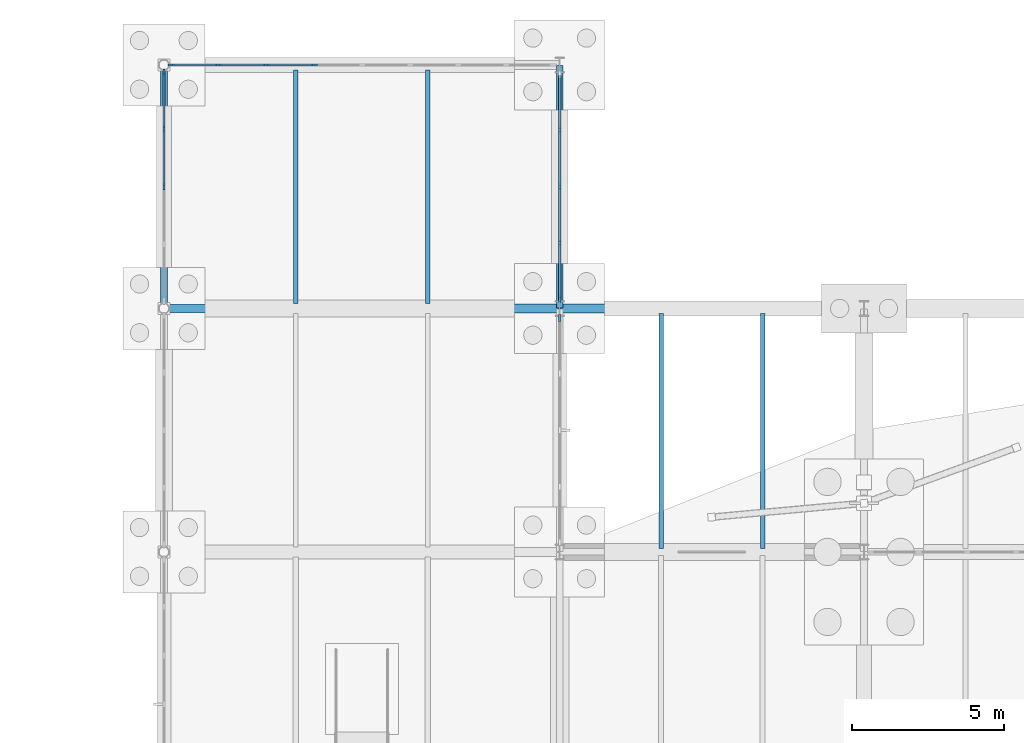
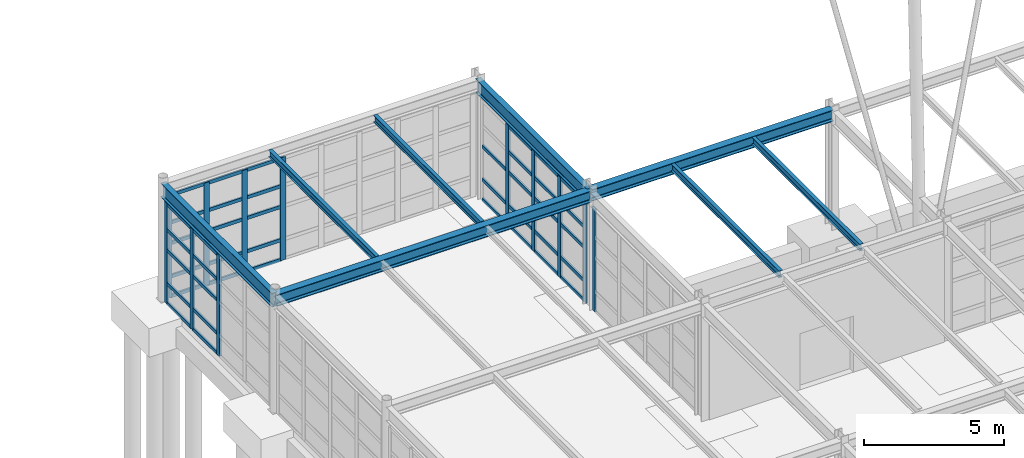
# One storey, part 54 of 145: 55 members, 8 beams, 4 elements without a shape of their own.
"""IFC4 building model written with IfcOpenShell, lengths in metres."""

from ifc_helpers import new_model, si_unit, direction, frame, origin, origin_2d, place, context, subcontext, project, spatial, rectangle, i_section, extrude, material, layer, layer_set, material_profile, profile_set, type_object, element, aggregate, save


model = new_model("IFC4")

# Units and contexts
model_context = context("Model", 3, precision=1e-05, world=origin(), true_north=direction((0.0, 1.0)))
body_context = subcontext(model_context, "Body", "Model", "MODEL_VIEW")
ifc_project = project(units=[si_unit("LENGTHUNIT", "METRE"), si_unit("AREAUNIT", "SQUARE_METRE"), si_unit("VOLUMEUNIT", "CUBIC_METRE"), si_unit("PLANEANGLEUNIT", "RADIAN"), si_unit("MASSUNIT", "GRAM", prefix="KILO"), si_unit("THERMODYNAMICTEMPERATUREUNIT", "KELVIN"), si_unit("POWERUNIT", "WATT")], contexts=[model_context])

# Site, building, storey
site_placement = place(None, origin())
site = spatial("IfcSite", under=ifc_project, at=site_placement, CompositionType="ELEMENT")
building_placement = place(site_placement, origin())
building = spatial("IfcBuilding", under=site, at=building_placement, Name="Korenveer Ferry Terminal", CompositionType="ELEMENT")
storey_placement = place(building_placement, origin())
storey = spatial("IfcBuildingStorey", under=building, at=storey_placement, Name="L00", CompositionType="ELEMENT", Elevation=0.0)

# Curtain wall, members
ifc_material_1 = material(Name="Unitised bronze-and-glass curtain wall", Category="glass")
ifc_layer_1 = layer(ifc_material_1, 0.219970703125)
ifc_layer_set_1 = layer_set([ifc_layer_1], Name="Unitised bronze-and-glass curtain wall")
curtain_wall_type_1 = type_object("IfcCurtainWallType", Name="ENV-CW-16", PredefinedType="USERDEFINED", material=ifc_layer_set_1)
curtain_wall_1_placement = place(storey_placement, frame((40.207763671875, 116.0, 0.0)))
curtain_wall_1 = element("IfcCurtainWall", 1, at=curtain_wall_1_placement, inside=storey, type_object=curtain_wall_type_1, Name="Lancet curtain wall CWX-L00-X40-53-Y116-116", ObjectType="UNITISED CURTAIN WALL", PredefinedType="USERDEFINED")
ifc_material_2 = material(Name="Anodised bronze aluminium", Category="aluminium")
ifc_material_profile_1 = material_profile(ifc_material_2, rectangle(XDim=0.074951171875, YDim=0.219970703125, at=origin_2d()), Name="ALU 75x220")
ifc_profile_set_1 = profile_set([ifc_material_profile_1], Name="Anodised bronze aluminium")
member_type_1 = type_object("IfcMemberType", Name="ENV-CWM-75X220", PredefinedType="MULLION", material=ifc_profile_set_1)
member_1_placement = place(storey_placement, frame((40.245361328125, 116.0, 0.0), z_axis=(0.0, 0.0, 1.0), x_axis=(0.0, 1.0, 0.0)))
member_1 = element("IfcMember", 2, at=member_1_placement, type_object=member_type_1, Name="CW-16 mullion 1", PredefinedType="MULLION", context=body_context, shape_type="SweptSolid", body=[
    extrude(rectangle(XDim=0.074951171875, YDim=0.219970703125, at=origin_2d()), origin(), (0.0, 0.0, 1.0), 4.489990234375),
])
member_2_placement = place(storey_placement, frame((41.784423828125, 116.0, 0.0), z_axis=(0.0, 0.0, 1.0), x_axis=(0.0, 1.0, 0.0)))
member_2 = element("IfcMember", 3, at=member_2_placement, type_object=member_type_1, Name="CW-16 mullion 2", PredefinedType="MULLION", context=body_context, shape_type="SweptSolid", body=[
    extrude(rectangle(XDim=0.074951171875, YDim=0.219970703125, at=origin_2d()), origin(), (0.0, 0.0, 1.0), 4.489990234375),
])
member_3_placement = place(storey_placement, frame((43.36083984375, 116.0, 0.0), z_axis=(0.0, 0.0, 1.0), x_axis=(0.0, 1.0, 0.0)))
member_3 = element("IfcMember", 4, at=member_3_placement, type_object=member_type_1, Name="CW-16 mullion 3", PredefinedType="MULLION", context=body_context, shape_type="SweptSolid", body=[
    extrude(rectangle(XDim=0.074951171875, YDim=0.219970703125, at=origin_2d()), origin(), (0.0, 0.0, 1.0), 4.489990234375),
])
member_4_placement = place(storey_placement, frame((44.937255859375, 116.0, 0.0), z_axis=(0.0, 0.0, 1.0), x_axis=(0.0, 1.0, 0.0)))
member_4 = element("IfcMember", 5, at=member_4_placement, type_object=member_type_1, Name="CW-16 mullion 4", PredefinedType="MULLION", context=body_context, shape_type="SweptSolid", body=[
    extrude(rectangle(XDim=0.074951171875, YDim=0.219970703125, at=origin_2d()), origin(), (0.0, 0.0, 1.0), 4.489990234375),
])

ifc_layer_2 = layer(ifc_material_1, 0.219970703125)
ifc_layer_set_2 = layer_set([ifc_layer_2], Name="Unitised bronze-and-glass curtain wall")
curtain_wall_type_2 = type_object("IfcCurtainWallType", Name="ENV-CW-24", PredefinedType="USERDEFINED", material=ifc_layer_set_2)
curtain_wall_2_placement = place(storey_placement, frame((40.0, 108.207763671875, 0.0)))
curtain_wall_2 = element("IfcCurtainWall", 6, at=curtain_wall_2_placement, inside=storey, type_object=curtain_wall_type_2, Name="Lancet curtain wall CWX-L00-X40-40-Y108-116", ObjectType="UNITISED CURTAIN WALL", PredefinedType="USERDEFINED")
member_5_placement = place(storey_placement, frame((40.0, 112.0, 0.0), z_axis=(0.0, 0.0, 1.0), x_axis=(-1.0, 0.0, 0.0)))
member_5 = element("IfcMember", 7, at=member_5_placement, type_object=member_type_1, Name="CW-24 mullion 3", PredefinedType="MULLION", context=body_context, shape_type="SweptSolid", body=[
    extrude(rectangle(XDim=0.074951171875, YDim=0.219970703125, at=origin_2d()), origin(), (0.0, 0.0, 1.0), 4.389892578125),
])
member_6_placement = place(storey_placement, frame((40.0, 113.89599609375, 0.0), z_axis=(0.0, 0.0, 1.0), x_axis=(-1.0, 0.0, 0.0)))
member_6 = element("IfcMember", 8, at=member_6_placement, type_object=member_type_1, Name="CW-24 mullion 4", PredefinedType="MULLION", context=body_context, shape_type="SweptSolid", body=[
    extrude(rectangle(XDim=0.074951171875, YDim=0.219970703125, at=origin_2d()), origin(), (0.0, 0.0, 1.0), 4.389892578125),
])
member_7_placement = place(storey_placement, frame((40.0, 115.754638671875, 0.0), z_axis=(0.0, 0.0, 1.0), x_axis=(-1.0, 0.0, 0.0)))
member_7 = element("IfcMember", 9, at=member_7_placement, type_object=member_type_1, Name="CW-24 mullion 5", PredefinedType="MULLION", context=body_context, shape_type="SweptSolid", body=[
    extrude(rectangle(XDim=0.074951171875, YDim=0.219970703125, at=origin_2d()), origin(), (0.0, 0.0, 1.0), 4.389892578125),
])

# Curtain wall, member
ifc_layer_3 = layer(ifc_material_1, 0.219970703125)
ifc_layer_set_3 = layer_set([ifc_layer_3], Name="Unitised bronze-and-glass curtain wall")
curtain_wall_type_3 = type_object("IfcCurtainWallType", Name="ENV-CW-28", PredefinedType="USERDEFINED", material=ifc_layer_set_3)
curtain_wall_3_placement = place(storey_placement, frame((53.0, 107.719970703125, 0.0)))
curtain_wall_3 = element("IfcCurtainWall", 10, at=curtain_wall_3_placement, inside=storey, type_object=curtain_wall_type_3, Name="Lancet curtain wall CWX-L00-X53-53-Y100-108", ObjectType="UNITISED CURTAIN WALL", PredefinedType="USERDEFINED")
member_8_placement = place(storey_placement, frame((53.0, 107.6826171875, 0.0), z_axis=(0.0, 0.0, 1.0), x_axis=(1.0, 0.0, 0.0)))
member_8 = element("IfcMember", 11, at=member_8_placement, type_object=member_type_1, Name="CW-28 mullion 1", PredefinedType="MULLION", context=body_context, shape_type="SweptSolid", body=[
    extrude(rectangle(XDim=0.074951171875, YDim=0.219970703125, at=origin_2d()), origin(), (0.0, 0.0, 1.0), 4.489990234375),
])
aggregate(curtain_wall_3, [member_8])

# Curtain wall, members
ifc_layer_4 = layer(ifc_material_1, 0.219970703125)
ifc_layer_set_4 = layer_set([ifc_layer_4], Name="Unitised bronze-and-glass curtain wall")
curtain_wall_type_4 = type_object("IfcCurtainWallType", Name="ENV-CW-29", PredefinedType="USERDEFINED", material=ifc_layer_set_4)
curtain_wall_4_placement = place(storey_placement, frame((53.0, 115.719970703125, 0.0)))
curtain_wall_4 = element("IfcCurtainWall", 12, at=curtain_wall_4_placement, inside=storey, type_object=curtain_wall_type_4, Name="Lancet curtain wall CWX-L00-X53-53-Y108-116", ObjectType="UNITISED CURTAIN WALL", PredefinedType="USERDEFINED")
member_9_placement = place(storey_placement, frame((53.0, 113.860107421875, 0.0), z_axis=(0.0, 0.0, 1.0), x_axis=(1.0, 0.0, 0.0)))
member_9 = element("IfcMember", 13, at=member_9_placement, type_object=member_type_1, Name="CW-29 mullion 2", PredefinedType="MULLION", context=body_context, shape_type="SweptSolid", body=[
    extrude(rectangle(XDim=0.074951171875, YDim=0.219970703125, at=origin_2d()), origin(), (0.0, 0.0, 1.0), 4.389892578125),
])
member_10_placement = place(storey_placement, frame((53.0, 112.0, 0.0), z_axis=(0.0, 0.0, 1.0), x_axis=(1.0, 0.0, 0.0)))
member_10 = element("IfcMember", 14, at=member_10_placement, type_object=member_type_1, Name="CW-29 mullion 3", PredefinedType="MULLION", context=body_context, shape_type="SweptSolid", body=[
    extrude(rectangle(XDim=0.074951171875, YDim=0.219970703125, at=origin_2d()), origin(), (0.0, 0.0, 1.0), 4.389892578125),
])
member_11_placement = place(storey_placement, frame((53.0, 110.139892578125, 0.0), z_axis=(0.0, 0.0, 1.0), x_axis=(1.0, 0.0, 0.0)))
member_11 = element("IfcMember", 15, at=member_11_placement, type_object=member_type_1, Name="CW-29 mullion 4", PredefinedType="MULLION", context=body_context, shape_type="SweptSolid", body=[
    extrude(rectangle(XDim=0.074951171875, YDim=0.219970703125, at=origin_2d()), origin(), (0.0, 0.0, 1.0), 4.389892578125),
])
member_12_placement = place(storey_placement, frame((53.0, 108.3173828125, 0.0), z_axis=(0.0, 0.0, 1.0), x_axis=(1.0, 0.0, 0.0)))
member_12 = element("IfcMember", 16, at=member_12_placement, type_object=member_type_1, Name="CW-29 mullion 5", PredefinedType="MULLION", context=body_context, shape_type="SweptSolid", body=[
    extrude(rectangle(XDim=0.074951171875, YDim=0.219970703125, at=origin_2d()), origin(), (0.0, 0.0, 1.0), 4.389892578125),
])

# Member
ifc_material_profile_2 = material_profile(ifc_material_2, rectangle(XDim=0.074951171875, YDim=0.14990234375, at=origin_2d()), Name="ALU 75x150")
ifc_profile_set_2 = profile_set([ifc_material_profile_2], Name="Anodised bronze aluminium")
member_type_2 = type_object("IfcMemberType", Name="ENV-CWT-75X150", PredefinedType="USERDEFINED", material=ifc_profile_set_2)
member_13_placement = place(storey_placement, frame((40.28271484375, 116.0, 0.03759765625), z_axis=(1.0, 0.0, 0.0), x_axis=(0.0, 1.0, 0.0)))
member_13 = element("IfcMember", 17, at=member_13_placement, type_object=member_type_2, Name="CW-16 transom 1.1", ObjectType="TRANSOM", PredefinedType="USERDEFINED", context=body_context, shape_type="SweptSolid", body=[
    extrude(rectangle(XDim=0.074951171875, YDim=0.14990234375, at=origin_2d()), origin(), (0.0, 0.0, 1.0), 1.464111328125),
])

member_14_placement = place(storey_placement, frame((40.28271484375, 116.0, 0.89990234375), z_axis=(1.0, 0.0, 0.0), x_axis=(0.0, 1.0, 0.0)))
member_14 = element("IfcMember", 18, at=member_14_placement, type_object=member_type_2, Name="CW-16 transom 1.2", ObjectType="TRANSOM", PredefinedType="USERDEFINED", context=body_context, shape_type="SweptSolid", body=[
    extrude(rectangle(XDim=0.074951171875, YDim=0.14990234375, at=origin_2d()), origin(), (0.0, 0.0, 1.0), 1.464111328125),
])

member_15_placement = place(storey_placement, frame((40.28271484375, 116.0, 2.35009765625), z_axis=(1.0, 0.0, 0.0), x_axis=(0.0, 1.0, 0.0)))
member_15 = element("IfcMember", 19, at=member_15_placement, type_object=member_type_2, Name="CW-16 transom 1.3", ObjectType="TRANSOM", PredefinedType="USERDEFINED", context=body_context, shape_type="SweptSolid", body=[
    extrude(rectangle(XDim=0.074951171875, YDim=0.14990234375, at=origin_2d()), origin(), (0.0, 0.0, 1.0), 1.464111328125),
])

member_16_placement = place(storey_placement, frame((40.28271484375, 116.0, 3.25), z_axis=(1.0, 0.0, 0.0), x_axis=(0.0, 1.0, 0.0)))
member_16 = element("IfcMember", 20, at=member_16_placement, type_object=member_type_2, Name="CW-16 transom 1.4", ObjectType="TRANSOM", PredefinedType="USERDEFINED", context=body_context, shape_type="SweptSolid", body=[
    extrude(rectangle(XDim=0.074951171875, YDim=0.14990234375, at=origin_2d()), origin(), (0.0, 0.0, 1.0), 1.464111328125),
])

member_17_placement = place(storey_placement, frame((40.28271484375, 116.0, 4.452392578125), z_axis=(1.0, 0.0, 0.0), x_axis=(0.0, 1.0, 0.0)))
member_17 = element("IfcMember", 21, at=member_17_placement, type_object=member_type_2, Name="CW-16 transom 1.5", ObjectType="TRANSOM", PredefinedType="USERDEFINED", context=body_context, shape_type="SweptSolid", body=[
    extrude(rectangle(XDim=0.074951171875, YDim=0.14990234375, at=origin_2d()), origin(), (0.0, 0.0, 1.0), 1.464111328125),
])

member_18_placement = place(storey_placement, frame((41.82177734375, 116.0, 0.03759765625), z_axis=(1.0, 0.0, 0.0), x_axis=(0.0, 1.0, 0.0)))
member_18 = element("IfcMember", 22, at=member_18_placement, type_object=member_type_2, Name="CW-16 transom 2.1", ObjectType="TRANSOM", PredefinedType="USERDEFINED", context=body_context, shape_type="SweptSolid", body=[
    extrude(rectangle(XDim=0.074951171875, YDim=0.14990234375, at=origin_2d()), origin(), (0.0, 0.0, 1.0), 1.50146484375),
])

member_19_placement = place(storey_placement, frame((41.82177734375, 116.0, 0.89990234375), z_axis=(1.0, 0.0, 0.0), x_axis=(0.0, 1.0, 0.0)))
member_19 = element("IfcMember", 23, at=member_19_placement, type_object=member_type_2, Name="CW-16 transom 2.2", ObjectType="TRANSOM", PredefinedType="USERDEFINED", context=body_context, shape_type="SweptSolid", body=[
    extrude(rectangle(XDim=0.074951171875, YDim=0.14990234375, at=origin_2d()), origin(), (0.0, 0.0, 1.0), 1.50146484375),
])

member_20_placement = place(storey_placement, frame((41.82177734375, 116.0, 2.35009765625), z_axis=(1.0, 0.0, 0.0), x_axis=(0.0, 1.0, 0.0)))
member_20 = element("IfcMember", 24, at=member_20_placement, type_object=member_type_2, Name="CW-16 transom 2.3", ObjectType="TRANSOM", PredefinedType="USERDEFINED", context=body_context, shape_type="SweptSolid", body=[
    extrude(rectangle(XDim=0.074951171875, YDim=0.14990234375, at=origin_2d()), origin(), (0.0, 0.0, 1.0), 1.50146484375),
])

member_21_placement = place(storey_placement, frame((41.82177734375, 116.0, 3.25), z_axis=(1.0, 0.0, 0.0), x_axis=(0.0, 1.0, 0.0)))
member_21 = element("IfcMember", 25, at=member_21_placement, type_object=member_type_2, Name="CW-16 transom 2.4", ObjectType="TRANSOM", PredefinedType="USERDEFINED", context=body_context, shape_type="SweptSolid", body=[
    extrude(rectangle(XDim=0.074951171875, YDim=0.14990234375, at=origin_2d()), origin(), (0.0, 0.0, 1.0), 1.50146484375),
])

member_22_placement = place(storey_placement, frame((41.82177734375, 116.0, 4.452392578125), z_axis=(1.0, 0.0, 0.0), x_axis=(0.0, 1.0, 0.0)))
member_22 = element("IfcMember", 26, at=member_22_placement, type_object=member_type_2, Name="CW-16 transom 2.5", ObjectType="TRANSOM", PredefinedType="USERDEFINED", context=body_context, shape_type="SweptSolid", body=[
    extrude(rectangle(XDim=0.074951171875, YDim=0.14990234375, at=origin_2d()), origin(), (0.0, 0.0, 1.0), 1.50146484375),
])

member_23_placement = place(storey_placement, frame((43.3984375, 116.0, 0.03759765625), z_axis=(1.0, 0.0, 0.0), x_axis=(0.0, 1.0, 0.0)))
member_23 = element("IfcMember", 27, at=member_23_placement, type_object=member_type_2, Name="CW-16 transom 3.1", ObjectType="TRANSOM", PredefinedType="USERDEFINED", context=body_context, shape_type="SweptSolid", body=[
    extrude(rectangle(XDim=0.074951171875, YDim=0.14990234375, at=origin_2d()), origin(), (0.0, 0.0, 1.0), 1.50146484375),
])

member_24_placement = place(storey_placement, frame((43.3984375, 116.0, 0.89990234375), z_axis=(1.0, 0.0, 0.0), x_axis=(0.0, 1.0, 0.0)))
member_24 = element("IfcMember", 28, at=member_24_placement, type_object=member_type_2, Name="CW-16 transom 3.2", ObjectType="TRANSOM", PredefinedType="USERDEFINED", context=body_context, shape_type="SweptSolid", body=[
    extrude(rectangle(XDim=0.074951171875, YDim=0.14990234375, at=origin_2d()), origin(), (0.0, 0.0, 1.0), 1.50146484375),
])

member_25_placement = place(storey_placement, frame((43.3984375, 116.0, 2.35009765625), z_axis=(1.0, 0.0, 0.0), x_axis=(0.0, 1.0, 0.0)))
member_25 = element("IfcMember", 29, at=member_25_placement, type_object=member_type_2, Name="CW-16 transom 3.3", ObjectType="TRANSOM", PredefinedType="USERDEFINED", context=body_context, shape_type="SweptSolid", body=[
    extrude(rectangle(XDim=0.074951171875, YDim=0.14990234375, at=origin_2d()), origin(), (0.0, 0.0, 1.0), 1.50146484375),
])

member_26_placement = place(storey_placement, frame((43.3984375, 116.0, 3.25), z_axis=(1.0, 0.0, 0.0), x_axis=(0.0, 1.0, 0.0)))
member_26 = element("IfcMember", 30, at=member_26_placement, type_object=member_type_2, Name="CW-16 transom 3.4", ObjectType="TRANSOM", PredefinedType="USERDEFINED", context=body_context, shape_type="SweptSolid", body=[
    extrude(rectangle(XDim=0.074951171875, YDim=0.14990234375, at=origin_2d()), origin(), (0.0, 0.0, 1.0), 1.50146484375),
])

member_27_placement = place(storey_placement, frame((43.3984375, 116.0, 4.452392578125), z_axis=(1.0, 0.0, 0.0), x_axis=(0.0, 1.0, 0.0)))
member_27 = element("IfcMember", 31, at=member_27_placement, type_object=member_type_2, Name="CW-16 transom 3.5", ObjectType="TRANSOM", PredefinedType="USERDEFINED", context=body_context, shape_type="SweptSolid", body=[
    extrude(rectangle(XDim=0.074951171875, YDim=0.14990234375, at=origin_2d()), origin(), (0.0, 0.0, 1.0), 1.50146484375),
])

aggregate(curtain_wall_1, [member_1, member_2, member_3, member_4, member_13, member_14, member_15, member_16, member_17, member_18, member_19, member_20, member_21, member_22, member_23, member_24, member_25, member_26, member_27])

member_28_placement = place(storey_placement, frame((40.0, 112.03759765625, 0.03759765625), z_axis=(0.0, 1.0, 0.0), x_axis=(-1.0, 0.0, 0.0)))
member_28 = element("IfcMember", 32, at=member_28_placement, type_object=member_type_2, Name="CW-24 transom 3.1", ObjectType="TRANSOM", PredefinedType="USERDEFINED", context=body_context, shape_type="SweptSolid", body=[
    extrude(rectangle(XDim=0.074951171875, YDim=0.14990234375, at=origin_2d()), origin(), (0.0, 0.0, 1.0), 1.821044921875),
])

member_29_placement = place(storey_placement, frame((40.0, 112.03759765625, 0.89990234375), z_axis=(0.0, 1.0, 0.0), x_axis=(-1.0, 0.0, 0.0)))
member_29 = element("IfcMember", 33, at=member_29_placement, type_object=member_type_2, Name="CW-24 transom 3.2", ObjectType="TRANSOM", PredefinedType="USERDEFINED", context=body_context, shape_type="SweptSolid", body=[
    extrude(rectangle(XDim=0.074951171875, YDim=0.14990234375, at=origin_2d()), origin(), (0.0, 0.0, 1.0), 1.821044921875),
])

member_30_placement = place(storey_placement, frame((40.0, 112.03759765625, 2.35009765625), z_axis=(0.0, 1.0, 0.0), x_axis=(-1.0, 0.0, 0.0)))
member_30 = element("IfcMember", 34, at=member_30_placement, type_object=member_type_2, Name="CW-24 transom 3.3", ObjectType="TRANSOM", PredefinedType="USERDEFINED", context=body_context, shape_type="SweptSolid", body=[
    extrude(rectangle(XDim=0.074951171875, YDim=0.14990234375, at=origin_2d()), origin(), (0.0, 0.0, 1.0), 1.821044921875),
])

member_31_placement = place(storey_placement, frame((40.0, 112.03759765625, 3.25), z_axis=(0.0, 1.0, 0.0), x_axis=(-1.0, 0.0, 0.0)))
member_31 = element("IfcMember", 35, at=member_31_placement, type_object=member_type_2, Name="CW-24 transom 3.4", ObjectType="TRANSOM", PredefinedType="USERDEFINED", context=body_context, shape_type="SweptSolid", body=[
    extrude(rectangle(XDim=0.074951171875, YDim=0.14990234375, at=origin_2d()), origin(), (0.0, 0.0, 1.0), 1.821044921875),
])

member_32_placement = place(storey_placement, frame((40.0, 112.03759765625, 4.3525390625), z_axis=(0.0, 1.0, 0.0), x_axis=(-1.0, 0.0, 0.0)))
member_32 = element("IfcMember", 36, at=member_32_placement, type_object=member_type_2, Name="CW-24 transom 3.5", ObjectType="TRANSOM", PredefinedType="USERDEFINED", context=body_context, shape_type="SweptSolid", body=[
    extrude(rectangle(XDim=0.074951171875, YDim=0.14990234375, at=origin_2d()), origin(), (0.0, 0.0, 1.0), 1.821044921875),
])

member_33_placement = place(storey_placement, frame((40.0, 113.93359375, 0.03759765625), z_axis=(0.0, 1.0, 0.0), x_axis=(-1.0, 0.0, 0.0)))
member_33 = element("IfcMember", 37, at=member_33_placement, type_object=member_type_2, Name="CW-24 transom 4.1", ObjectType="TRANSOM", PredefinedType="USERDEFINED", context=body_context, shape_type="SweptSolid", body=[
    extrude(rectangle(XDim=0.074951171875, YDim=0.14990234375, at=origin_2d()), origin(), (0.0, 0.0, 1.0), 1.78369140625),
])

member_34_placement = place(storey_placement, frame((40.0, 113.93359375, 0.89990234375), z_axis=(0.0, 1.0, 0.0), x_axis=(-1.0, 0.0, 0.0)))
member_34 = element("IfcMember", 38, at=member_34_placement, type_object=member_type_2, Name="CW-24 transom 4.2", ObjectType="TRANSOM", PredefinedType="USERDEFINED", context=body_context, shape_type="SweptSolid", body=[
    extrude(rectangle(XDim=0.074951171875, YDim=0.14990234375, at=origin_2d()), origin(), (0.0, 0.0, 1.0), 1.78369140625),
])

member_35_placement = place(storey_placement, frame((40.0, 113.93359375, 2.35009765625), z_axis=(0.0, 1.0, 0.0), x_axis=(-1.0, 0.0, 0.0)))
member_35 = element("IfcMember", 39, at=member_35_placement, type_object=member_type_2, Name="CW-24 transom 4.3", ObjectType="TRANSOM", PredefinedType="USERDEFINED", context=body_context, shape_type="SweptSolid", body=[
    extrude(rectangle(XDim=0.074951171875, YDim=0.14990234375, at=origin_2d()), origin(), (0.0, 0.0, 1.0), 1.78369140625),
])

member_36_placement = place(storey_placement, frame((40.0, 113.93359375, 3.25), z_axis=(0.0, 1.0, 0.0), x_axis=(-1.0, 0.0, 0.0)))
member_36 = element("IfcMember", 40, at=member_36_placement, type_object=member_type_2, Name="CW-24 transom 4.4", ObjectType="TRANSOM", PredefinedType="USERDEFINED", context=body_context, shape_type="SweptSolid", body=[
    extrude(rectangle(XDim=0.074951171875, YDim=0.14990234375, at=origin_2d()), origin(), (0.0, 0.0, 1.0), 1.78369140625),
])

member_37_placement = place(storey_placement, frame((40.0, 113.93359375, 4.3525390625), z_axis=(0.0, 1.0, 0.0), x_axis=(-1.0, 0.0, 0.0)))
member_37 = element("IfcMember", 41, at=member_37_placement, type_object=member_type_2, Name="CW-24 transom 4.5", ObjectType="TRANSOM", PredefinedType="USERDEFINED", context=body_context, shape_type="SweptSolid", body=[
    extrude(rectangle(XDim=0.074951171875, YDim=0.14990234375, at=origin_2d()), origin(), (0.0, 0.0, 1.0), 1.78369140625),
])

aggregate(curtain_wall_2, [member_5, member_6, member_7, member_28, member_29, member_30, member_31, member_32, member_33, member_34, member_35, member_36, member_37])

member_38_placement = place(storey_placement, frame((53.0, 115.64501953125, 0.03759765625), z_axis=(0.0, -1.0, 0.0), x_axis=(1.0, 0.0, 0.0)))
member_38 = element("IfcMember", 42, at=member_38_placement, type_object=member_type_2, Name="CW-29 transom 1.1", ObjectType="TRANSOM", PredefinedType="USERDEFINED", context=body_context, shape_type="SweptSolid", body=[
    extrude(rectangle(XDim=0.074951171875, YDim=0.14990234375, at=origin_2d()), origin(), (0.0, 0.0, 1.0), 1.74755859375),
])

member_39_placement = place(storey_placement, frame((53.0, 115.64501953125, 0.89990234375), z_axis=(0.0, -1.0, 0.0), x_axis=(1.0, 0.0, 0.0)))
member_39 = element("IfcMember", 43, at=member_39_placement, type_object=member_type_2, Name="CW-29 transom 1.2", ObjectType="TRANSOM", PredefinedType="USERDEFINED", context=body_context, shape_type="SweptSolid", body=[
    extrude(rectangle(XDim=0.074951171875, YDim=0.14990234375, at=origin_2d()), origin(), (0.0, 0.0, 1.0), 1.74755859375),
])

member_40_placement = place(storey_placement, frame((53.0, 115.64501953125, 2.35009765625), z_axis=(0.0, -1.0, 0.0), x_axis=(1.0, 0.0, 0.0)))
member_40 = element("IfcMember", 44, at=member_40_placement, type_object=member_type_2, Name="CW-29 transom 1.3", ObjectType="TRANSOM", PredefinedType="USERDEFINED", context=body_context, shape_type="SweptSolid", body=[
    extrude(rectangle(XDim=0.074951171875, YDim=0.14990234375, at=origin_2d()), origin(), (0.0, 0.0, 1.0), 1.74755859375),
])

member_41_placement = place(storey_placement, frame((53.0, 113.822509765625, 0.03759765625), z_axis=(0.0, -1.0, 0.0), x_axis=(1.0, 0.0, 0.0)))
member_41 = element("IfcMember", 45, at=member_41_placement, type_object=member_type_2, Name="CW-29 transom 2.1", ObjectType="TRANSOM", PredefinedType="USERDEFINED", context=body_context, shape_type="SweptSolid", body=[
    extrude(rectangle(XDim=0.074951171875, YDim=0.14990234375, at=origin_2d()), origin(), (0.0, 0.0, 1.0), 1.784912109375),
])

member_42_placement = place(storey_placement, frame((53.0, 113.822509765625, 0.89990234375), z_axis=(0.0, -1.0, 0.0), x_axis=(1.0, 0.0, 0.0)))
member_42 = element("IfcMember", 46, at=member_42_placement, type_object=member_type_2, Name="CW-29 transom 2.2", ObjectType="TRANSOM", PredefinedType="USERDEFINED", context=body_context, shape_type="SweptSolid", body=[
    extrude(rectangle(XDim=0.074951171875, YDim=0.14990234375, at=origin_2d()), origin(), (0.0, 0.0, 1.0), 1.784912109375),
])

member_43_placement = place(storey_placement, frame((53.0, 113.822509765625, 2.35009765625), z_axis=(0.0, -1.0, 0.0), x_axis=(1.0, 0.0, 0.0)))
member_43 = element("IfcMember", 47, at=member_43_placement, type_object=member_type_2, Name="CW-29 transom 2.3", ObjectType="TRANSOM", PredefinedType="USERDEFINED", context=body_context, shape_type="SweptSolid", body=[
    extrude(rectangle(XDim=0.074951171875, YDim=0.14990234375, at=origin_2d()), origin(), (0.0, 0.0, 1.0), 1.784912109375),
])

member_44_placement = place(storey_placement, frame((53.0, 113.822509765625, 3.25), z_axis=(0.0, -1.0, 0.0), x_axis=(1.0, 0.0, 0.0)))
member_44 = element("IfcMember", 48, at=member_44_placement, type_object=member_type_2, Name="CW-29 transom 2.4", ObjectType="TRANSOM", PredefinedType="USERDEFINED", context=body_context, shape_type="SweptSolid", body=[
    extrude(rectangle(XDim=0.074951171875, YDim=0.14990234375, at=origin_2d()), origin(), (0.0, 0.0, 1.0), 1.784912109375),
])

member_45_placement = place(storey_placement, frame((53.0, 113.822509765625, 4.3525390625), z_axis=(0.0, -1.0, 0.0), x_axis=(1.0, 0.0, 0.0)))
member_45 = element("IfcMember", 49, at=member_45_placement, type_object=member_type_2, Name="CW-29 transom 2.5", ObjectType="TRANSOM", PredefinedType="USERDEFINED", context=body_context, shape_type="SweptSolid", body=[
    extrude(rectangle(XDim=0.074951171875, YDim=0.14990234375, at=origin_2d()), origin(), (0.0, 0.0, 1.0), 1.784912109375),
])

member_46_placement = place(storey_placement, frame((53.0, 111.96240234375, 0.03759765625), z_axis=(0.0, -1.0, 0.0), x_axis=(1.0, 0.0, 0.0)))
member_46 = element("IfcMember", 50, at=member_46_placement, type_object=member_type_2, Name="CW-29 transom 3.1", ObjectType="TRANSOM", PredefinedType="USERDEFINED", context=body_context, shape_type="SweptSolid", body=[
    extrude(rectangle(XDim=0.074951171875, YDim=0.14990234375, at=origin_2d()), origin(), (0.0, 0.0, 1.0), 1.784912109375),
])

member_47_placement = place(storey_placement, frame((53.0, 111.96240234375, 0.89990234375), z_axis=(0.0, -1.0, 0.0), x_axis=(1.0, 0.0, 0.0)))
member_47 = element("IfcMember", 51, at=member_47_placement, type_object=member_type_2, Name="CW-29 transom 3.2", ObjectType="TRANSOM", PredefinedType="USERDEFINED", context=body_context, shape_type="SweptSolid", body=[
    extrude(rectangle(XDim=0.074951171875, YDim=0.14990234375, at=origin_2d()), origin(), (0.0, 0.0, 1.0), 1.784912109375),
])

member_48_placement = place(storey_placement, frame((53.0, 111.96240234375, 2.35009765625), z_axis=(0.0, -1.0, 0.0), x_axis=(1.0, 0.0, 0.0)))
member_48 = element("IfcMember", 52, at=member_48_placement, type_object=member_type_2, Name="CW-29 transom 3.3", ObjectType="TRANSOM", PredefinedType="USERDEFINED", context=body_context, shape_type="SweptSolid", body=[
    extrude(rectangle(XDim=0.074951171875, YDim=0.14990234375, at=origin_2d()), origin(), (0.0, 0.0, 1.0), 1.784912109375),
])

member_49_placement = place(storey_placement, frame((53.0, 111.96240234375, 3.25), z_axis=(0.0, -1.0, 0.0), x_axis=(1.0, 0.0, 0.0)))
member_49 = element("IfcMember", 53, at=member_49_placement, type_object=member_type_2, Name="CW-29 transom 3.4", ObjectType="TRANSOM", PredefinedType="USERDEFINED", context=body_context, shape_type="SweptSolid", body=[
    extrude(rectangle(XDim=0.074951171875, YDim=0.14990234375, at=origin_2d()), origin(), (0.0, 0.0, 1.0), 1.784912109375),
])

member_50_placement = place(storey_placement, frame((53.0, 111.96240234375, 4.3525390625), z_axis=(0.0, -1.0, 0.0), x_axis=(1.0, 0.0, 0.0)))
member_50 = element("IfcMember", 54, at=member_50_placement, type_object=member_type_2, Name="CW-29 transom 3.5", ObjectType="TRANSOM", PredefinedType="USERDEFINED", context=body_context, shape_type="SweptSolid", body=[
    extrude(rectangle(XDim=0.074951171875, YDim=0.14990234375, at=origin_2d()), origin(), (0.0, 0.0, 1.0), 1.784912109375),
])

member_51_placement = place(storey_placement, frame((53.0, 110.1025390625, 0.03759765625), z_axis=(0.0, -1.0, 0.0), x_axis=(1.0, 0.0, 0.0)))
member_51 = element("IfcMember", 55, at=member_51_placement, type_object=member_type_2, Name="CW-29 transom 4.1", ObjectType="TRANSOM", PredefinedType="USERDEFINED", context=body_context, shape_type="SweptSolid", body=[
    extrude(rectangle(XDim=0.074951171875, YDim=0.14990234375, at=origin_2d()), origin(), (0.0, 0.0, 1.0), 1.74755859375),
])

member_52_placement = place(storey_placement, frame((53.0, 110.1025390625, 0.89990234375), z_axis=(0.0, -1.0, 0.0), x_axis=(1.0, 0.0, 0.0)))
member_52 = element("IfcMember", 56, at=member_52_placement, type_object=member_type_2, Name="CW-29 transom 4.2", ObjectType="TRANSOM", PredefinedType="USERDEFINED", context=body_context, shape_type="SweptSolid", body=[
    extrude(rectangle(XDim=0.074951171875, YDim=0.14990234375, at=origin_2d()), origin(), (0.0, 0.0, 1.0), 1.74755859375),
])

member_53_placement = place(storey_placement, frame((53.0, 110.1025390625, 2.35009765625), z_axis=(0.0, -1.0, 0.0), x_axis=(1.0, 0.0, 0.0)))
member_53 = element("IfcMember", 57, at=member_53_placement, type_object=member_type_2, Name="CW-29 transom 4.3", ObjectType="TRANSOM", PredefinedType="USERDEFINED", context=body_context, shape_type="SweptSolid", body=[
    extrude(rectangle(XDim=0.074951171875, YDim=0.14990234375, at=origin_2d()), origin(), (0.0, 0.0, 1.0), 1.74755859375),
])

member_54_placement = place(storey_placement, frame((53.0, 110.1025390625, 3.25), z_axis=(0.0, -1.0, 0.0), x_axis=(1.0, 0.0, 0.0)))
member_54 = element("IfcMember", 58, at=member_54_placement, type_object=member_type_2, Name="CW-29 transom 4.4", ObjectType="TRANSOM", PredefinedType="USERDEFINED", context=body_context, shape_type="SweptSolid", body=[
    extrude(rectangle(XDim=0.074951171875, YDim=0.14990234375, at=origin_2d()), origin(), (0.0, 0.0, 1.0), 1.74755859375),
])

member_55_placement = place(storey_placement, frame((53.0, 110.1025390625, 4.3525390625), z_axis=(0.0, -1.0, 0.0), x_axis=(1.0, 0.0, 0.0)))
member_55 = element("IfcMember", 59, at=member_55_placement, type_object=member_type_2, Name="CW-29 transom 4.5", ObjectType="TRANSOM", PredefinedType="USERDEFINED", context=body_context, shape_type="SweptSolid", body=[
    extrude(rectangle(XDim=0.074951171875, YDim=0.14990234375, at=origin_2d()), origin(), (0.0, 0.0, 1.0), 1.74755859375),
])

aggregate(curtain_wall_4, [member_9, member_10, member_11, member_12, member_38, member_39, member_40, member_41, member_42, member_43, member_44, member_45, member_46, member_47, member_48, member_49, member_50, member_51, member_52, member_53, member_54, member_55])

# Beams
ifc_material_3 = material(Name="Steel S355", Category="steel")
ifc_material_profile_3 = material_profile(ifc_material_3, i_section(OverallWidth=0.300048828125, OverallDepth=0.5, WebThickness=0.014404296875, FlangeThickness=0.028076171875, FilletRadius=0.027099609375, at=origin_2d()), Name="HEB 500")
ifc_profile_set_3 = profile_set([ifc_material_profile_3], Name="Steel S355")
beam_type_1 = type_object("IfcBeamType", Name="STR-BM-HEB500", PredefinedType="BEAM", material=ifc_profile_set_3)
beam_1_placement = place(storey_placement, frame((40.02001953125, 108.0, 4.8701171875), z_axis=(1.0, 0.0, 0.0), x_axis=(0.0, 1.0, 0.0)))
element("IfcBeam", 60, at=beam_1_placement, inside=storey, type_object=beam_type_1, Name="Primary X girder BMX-L01-X40-53-Y108", PredefinedType="BEAM", context=body_context, shape_type="SweptSolid", body=[
    extrude(i_section(OverallWidth=0.300048828125, OverallDepth=0.5, WebThickness=0.014404296875, FlangeThickness=0.028076171875, FilletRadius=0.027099609375, at=origin_2d()), origin(), (0.0, 0.0, 1.0), 12.9599609375),
])
beam_2_placement = place(storey_placement, frame((53.02001953125, 108.0, 4.909912109375), z_axis=(1.0, 0.0, 0.0), x_axis=(0.0, 1.0, 0.0)))
element("IfcBeam", 61, at=beam_2_placement, inside=storey, type_object=beam_type_1, Name="Primary X girder BMX-L01-X53-63-Y108", PredefinedType="BEAM", context=body_context, shape_type="SweptSolid", body=[
    extrude(i_section(OverallWidth=0.300048828125, OverallDepth=0.5, WebThickness=0.014404296875, FlangeThickness=0.028076171875, FilletRadius=0.027099609375, at=origin_2d()), origin(), (0.0, 0.0, 1.0), 9.9599609375),
])
ifc_material_profile_4 = material_profile(ifc_material_3, i_section(OverallWidth=0.219970703125, OverallDepth=0.60009765625, WebThickness=0.011962890625, FlangeThickness=0.01904296875, FilletRadius=0.02392578125, at=origin_2d()), Name="IPE 600")
ifc_profile_set_4 = profile_set([ifc_material_profile_4], Name="Steel S355")
beam_type_2 = type_object("IfcBeamType", Name="STR-BM-IPE600", PredefinedType="BEAM", material=ifc_profile_set_4)
for number, where, z_axis, x_axis, name in (
    (62, (40.0, 108.02001953125, 4.820068359375), (0.0, 1.0, 0.0), (-1.0, 0.0, 0.0), "Primary Y girder BMY-L01-X40-Y108-116"),
    (63, (53.0, 108.02001953125, 4.820068359375), (0.0, 1.0, 0.0), (-1.0, 0.0, 0.0), "Primary Y girder BMY-L01-X53-Y108-116"),
):
    element("IfcBeam", number, at=place(storey_placement, frame(where, z_axis=z_axis, x_axis=x_axis)), inside=storey, type_object=beam_type_2, Name=name, PredefinedType="BEAM", context=body_context, shape_type="SweptSolid", body=[
        extrude(i_section(OverallWidth=0.219970703125, OverallDepth=0.60009765625, WebThickness=0.011962890625, FlangeThickness=0.01904296875, FilletRadius=0.02392578125, at=origin_2d()), origin(), (0.0, 0.0, 1.0), 7.9599609375),
    ])
ifc_material_profile_5 = material_profile(ifc_material_3, i_section(OverallWidth=0.14990234375, OverallDepth=0.300048828125, WebThickness=0.007080078125, FlangeThickness=0.0107421875, FilletRadius=0.014892578125, at=origin_2d()), Name="IPE 300")
ifc_profile_set_5 = profile_set([ifc_material_profile_5], Name="Steel S355")
beam_type_3 = type_object("IfcBeamType", Name="STR-JST-IPE300", PredefinedType="JOIST", material=ifc_profile_set_5)
for number, where, z_axis, x_axis, name in (
    (64, (44.333251953125, 108.159912109375, 4.969970703125), (0.0, 1.0, 0.0), (-1.0, 0.0, 0.0), "Secondary composite joist JST-L01-X443-Y108-116"),
    (65, (48.666748046875, 108.159912109375, 4.969970703125), (0.0, 1.0, 0.0), (-1.0, 0.0, 0.0), "Secondary composite joist JST-L01-X487-Y108-116"),
):
    element("IfcBeam", number, at=place(storey_placement, frame(where, z_axis=z_axis, x_axis=x_axis)), inside=storey, type_object=beam_type_3, Name=name, PredefinedType="JOIST", context=body_context, shape_type="SweptSolid", body=[
        extrude(i_section(OverallWidth=0.14990234375, OverallDepth=0.300048828125, WebThickness=0.007080078125, FlangeThickness=0.0107421875, FilletRadius=0.014892578125, at=origin_2d()), origin(), (0.0, 0.0, 1.0), 7.68017578125),
    ])
for number, where, z_axis, x_axis, name in (
    (66, (56.333251953125, 100.114990234375, 5.010009765625), (0.0, 1.0, 0.0), (-1.0, 0.0, 0.0), "Secondary composite joist JST-L01-X563-Y100-108"),
    (67, (59.666748046875, 100.114990234375, 5.010009765625), (0.0, 1.0, 0.0), (-1.0, 0.0, 0.0), "Secondary composite joist JST-L01-X597-Y100-108"),
):
    element("IfcBeam", number, at=place(storey_placement, frame(where, z_axis=z_axis, x_axis=x_axis)), inside=storey, type_object=beam_type_3, Name=name, PredefinedType="JOIST", context=body_context, shape_type="SweptSolid", body=[
        extrude(i_section(OverallWidth=0.14990234375, OverallDepth=0.300048828125, WebThickness=0.007080078125, FlangeThickness=0.0107421875, FilletRadius=0.014892578125, at=origin_2d()), origin(), (0.0, 0.0, 1.0), 7.72509765625),
    ])

save(model, "model.ifc")
